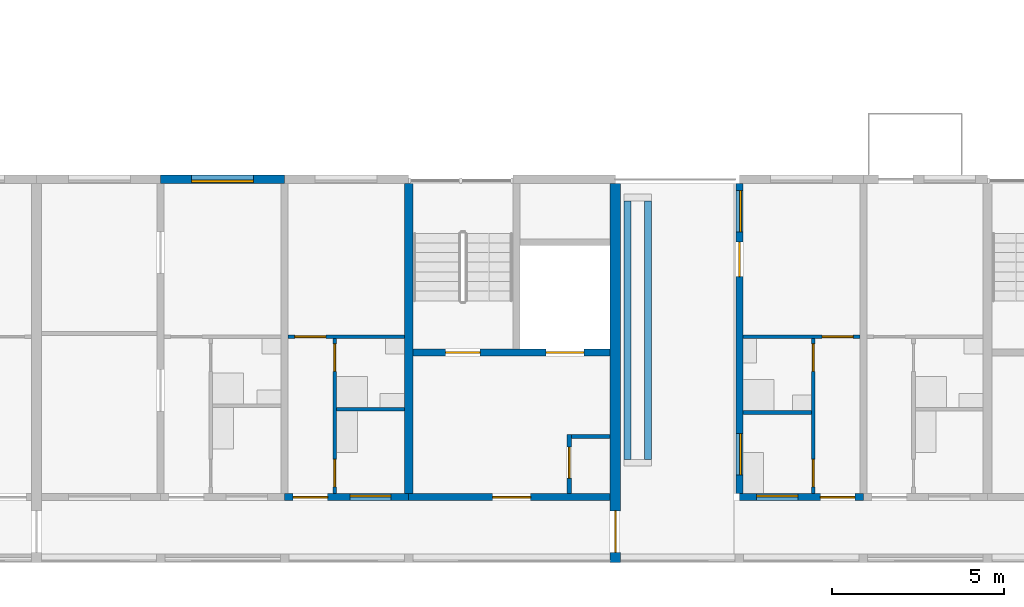
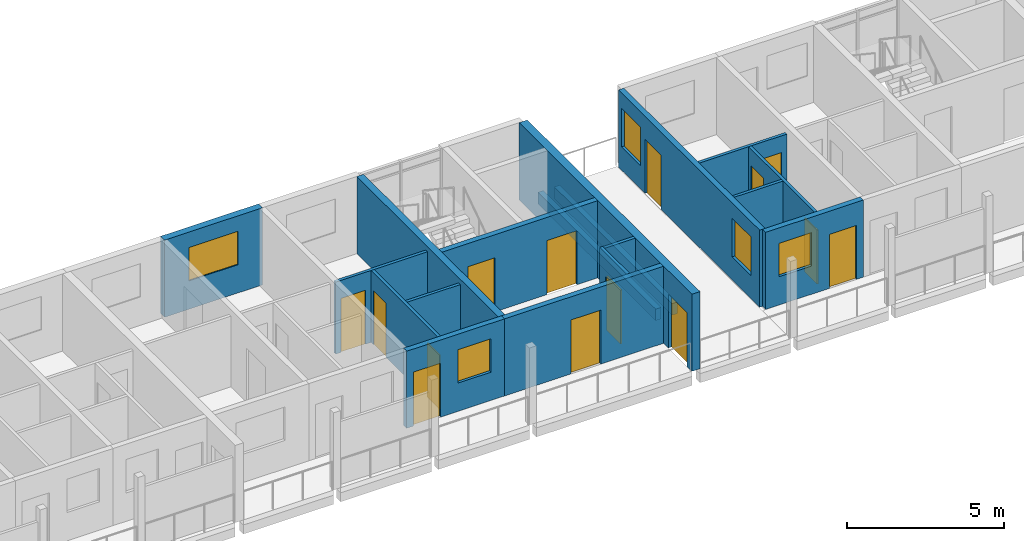
# One storey, part 34 of 64: 18 walls, 14 doors, 5 windows, 19 openings.
"""IFC4 building model written with IfcOpenShell, lengths in metres."""

from ifc_helpers import new_model, si_unit, direction, frame, frame_2d, origin, place, context, subcontext, project, spatial, rectangle, extrude, material, layer, layer_set, type_object, element, fill, save


model = new_model("IFC4")

# Units and contexts
model_context = context("Model", 3, precision=1e-05, world=origin(), true_north=direction((0.0, 1.0)))
body_context = subcontext(model_context, "Body", "Model", "MODEL_VIEW")
ifc_project = project(units=[si_unit("LENGTHUNIT", "METRE"), si_unit("AREAUNIT", "SQUARE_METRE"), si_unit("VOLUMEUNIT", "CUBIC_METRE"), si_unit("PLANEANGLEUNIT", "RADIAN"), si_unit("MASSUNIT", "GRAM", prefix="KILO")], contexts=[model_context])

# Site, building, storey
site_placement = place(None, origin())
site = spatial("IfcSite", under=ifc_project, at=site_placement, CompositionType="ELEMENT")
building_placement = place(site_placement, origin())
building = spatial("IfcBuilding", under=site, at=building_placement, Name="Ridgestep Commons", CompositionType="ELEMENT")
storey_placement = place(building_placement, frame((0.0, 0.0, 33.0)))
storey = spatial("IfcBuildingStorey", under=building, at=storey_placement, Name="L11", CompositionType="ELEMENT", Elevation=33.0)

# Wall
ifc_material_1 = material(Name="Concrete C30/37", Category="concrete")
ifc_layer_1 = layer(ifc_material_1, 0.25)
ifc_layer_set_1 = layer_set([ifc_layer_1], Name="Core cross wall 250")
wall_type_1 = type_object("IfcWallType", Name="Core cross wall 250", PredefinedType="SHEAR", material=ifc_layer_set_1)
wall_1_placement = place(storey_placement, frame((191.199951171875, 13.75, 0.0), z_axis=(0.0, 0.0, 1.0), x_axis=(0.0, 1.0, 0.0)))
element("IfcWall", 1, at=wall_1_placement, inside=storey, type_object=wall_type_1, Name="Cross wall D-11-1912", PredefinedType="SHEAR", context=body_context, shape_type="SweptSolid", body=[
    extrude(rectangle(XDim=9.0, YDim=0.25, at=frame_2d((4.5, 0.0))), origin(), (0.0, 0.0, 1.0), 3.0),
])

# Wall, opening, door
ifc_material_2 = material(Name="Concrete C30/37", Category="concrete")
ifc_layer_2 = layer(ifc_material_2, 0.199951171875)
ifc_layer_set_2 = layer_set([ifc_layer_2], Name="Core south wall 200")
wall_type_2 = type_object("IfcWallType", Name="Core south wall 200", PredefinedType="SHEAR", material=ifc_layer_set_2)
wall_2_placement = place(storey_placement, frame((191.199951171875, 13.64990234375, 0.0), z_axis=(0.0, 0.0, 1.0), x_axis=(1.0, 0.0, 0.0)))
wall_2 = element("IfcWall", 2, at=wall_2_placement, inside=storey, type_object=wall_type_2, Name="Core south wall D3C L11", PredefinedType="SHEAR", context=body_context, shape_type="SweptSolid", body=[
    extrude(rectangle(XDim=5.85009765625, YDim=0.199951171875, at=frame_2d((2.925048828125, 0.0))), origin(), (0.0, 0.0, 1.0), 3.0),
])
opening_1_placement = place(wall_2_placement, frame((2.4375, 0.0, 0.0)))
opening_1 = element("IfcOpeningElement", 3, at=opening_1_placement, cuts=wall_2, Name="Opening D3C/11/1", PredefinedType="OPENING", context=body_context, shape_type="SweptSolid", body=[
    extrude(rectangle(XDim=1.10009765625, YDim=2.10009765625, at=frame_2d((0.550048828125, 1.050048828125))), frame((0.0, 0.10986328125, 0.0), z_axis=(0.0, -1.0, 0.0), x_axis=(1.0, 0.0, 0.0)), (0.0, 0.0, 1.0), 0.219970703125),
])
ifc_material_3 = material(Name="Steel fire door", Category="steel")
door_type_1 = type_object("IfcDoorType", Name="Lobby door 1100 x 2100 FD60", OperationType="NOTDEFINED", PredefinedType="DOOR", material=ifc_material_3)
door_1_placement = place(opening_1_placement, origin())
door_1 = element("IfcDoor", 4, at=door_1_placement, inside=storey, type_object=door_type_1, Name="Lobby door D3C/11/1", OperationType="SINGLE_SWING_LEFT", OverallHeight=2.10009765625, OverallWidth=1.10009765625, PredefinedType="DOOR", context=body_context, shape_type="SweptSolid", body=[
    extrude(rectangle(XDim=1.10009765625, YDim=2.10009765625, at=frame_2d((0.550048828125, 1.050048828125))), frame((0.0, 0.02490234375, 0.0), z_axis=(0.0, -1.0, 0.0), x_axis=(1.0, 0.0, 0.0)), (0.0, 0.0, 1.0), 0.050048828125),
])
fill(opening_1, door_1)

ifc_material_4 = material(Name="Concrete C30/37", Category="concrete")
ifc_layer_3 = layer(ifc_material_4, 0.1201171875)
ifc_layer_set_3 = layer_set([ifc_layer_3], Name="Core wall 120")
wall_type_3 = type_object("IfcWallType", Name="Core wall 120", PredefinedType="SHEAR", material=ifc_layer_set_3)
wall_3_placement = place(storey_placement, frame((195.860107421875, 13.75, 0.0), z_axis=(0.0, 0.0, 1.0), x_axis=(0.0, 1.0, 0.0)))
wall_3 = element("IfcWall", 5, at=wall_3_placement, inside=storey, type_object=wall_type_3, Name="Core riser w wall D3C L11", PredefinedType="SHEAR", context=body_context, shape_type="SweptSolid", body=[
    extrude(rectangle(XDim=1.719970703125, YDim=0.1201171875, at=frame_2d((0.85986328125, 0.0))), origin(), (0.0, 0.0, 1.0), 3.0),
])
opening_2_placement = place(wall_3_placement, frame((0.449951171875, 0.0, 0.0)))
opening_2 = element("IfcOpeningElement", 6, at=opening_2_placement, cuts=wall_3, Name="Opening D3C/11/4", PredefinedType="OPENING", context=body_context, shape_type="SweptSolid", body=[
    extrude(rectangle(XDim=0.89990234375, YDim=2.10009765625, at=frame_2d((0.449951171875, 1.050048828125))), frame((0.0, 0.070068359375, 0.0), z_axis=(0.0, -1.0, 0.0), x_axis=(1.0, 0.0, 0.0)), (0.0, 0.0, 1.0), 0.14013671875),
])
ifc_material_5 = material(Name="Steel fire door", Category="steel")
door_type_2 = type_object("IfcDoorType", Name="Riser door 900 x 2100 FD60", OperationType="NOTDEFINED", PredefinedType="DOOR", material=ifc_material_5)
door_2_placement = place(opening_2_placement, origin())
door_2 = element("IfcDoor", 7, at=door_2_placement, inside=storey, type_object=door_type_2, Name="Riser door D3C/11/4", OperationType="SINGLE_SWING_LEFT", OverallHeight=2.10009765625, OverallWidth=0.89990234375, PredefinedType="DOOR", context=body_context, shape_type="SweptSolid", body=[
    extrude(rectangle(XDim=0.89990234375, YDim=2.10009765625, at=frame_2d((0.449951171875, 1.050048828125))), frame((0.0, 0.02490234375, 0.0), z_axis=(0.0, -1.0, 0.0), x_axis=(1.0, 0.0, 0.0)), (0.0, 0.0, 1.0), 0.050048828125),
])
fill(opening_2, door_2)

# Wall
wall_4_placement = place(storey_placement, frame((195.919921875, 15.409912109375, 0.0), z_axis=(0.0, 0.0, 1.0), x_axis=(1.0, 0.0, 0.0)))
element("IfcWall", 8, at=wall_4_placement, inside=storey, type_object=wall_type_3, Name="Core riser n wall D3C L11", PredefinedType="SHEAR", context=body_context, shape_type="SweptSolid", body=[
    extrude(rectangle(XDim=1.130126953125, YDim=0.1201171875, at=frame_2d((0.56494140625, 0.0))), origin(), (0.0, 0.0, 1.0), 3.0),
])

# Wall, openings, doors
ifc_material_6 = material(Name="Concrete C30/37", Category="concrete")
ifc_layer_4 = layer(ifc_material_6, 0.199951171875)
ifc_layer_set_4 = layer_set([ifc_layer_4], Name="Core wall 200")
wall_type_4 = type_object("IfcWallType", Name="Core wall 200", PredefinedType="SHEAR", material=ifc_layer_set_4)
wall_5_placement = place(storey_placement, frame((191.324951171875, 17.85009765625, 0.0), z_axis=(0.0, 0.0, 1.0), x_axis=(1.0, 0.0, 0.0)))
wall_5 = element("IfcWall", 9, at=wall_5_placement, inside=storey, type_object=wall_type_4, Name="Core lobby wall D3C L11", PredefinedType="SHEAR", context=body_context, shape_type="SweptSolid", body=[
    extrude(rectangle(XDim=5.72509765625, YDim=0.199951171875, at=frame_2d((2.862548828125, 0.0))), origin(), (0.0, 0.0, 1.0), 3.0),
])
opening_3_placement = place(wall_5_placement, frame((0.949951171875, 0.0, 0.0)))
opening_3 = element("IfcOpeningElement", 10, at=opening_3_placement, cuts=wall_5, Name="Opening D3C/11/2", PredefinedType="OPENING", context=body_context, shape_type="SweptSolid", body=[
    extrude(rectangle(XDim=1.0, YDim=2.10009765625, at=frame_2d((0.5, 1.050048828125))), frame((0.0, 0.10986328125, 0.0), z_axis=(0.0, -1.0, 0.0), x_axis=(1.0, 0.0, 0.0)), (0.0, 0.0, 1.0), 0.219970703125),
])
opening_4_placement = place(wall_5_placement, frame((3.862548828125, 0.0, 0.0)))
opening_4 = element("IfcOpeningElement", 11, at=opening_4_placement, cuts=wall_5, Name="Opening D3C/11/3", PredefinedType="OPENING", context=body_context, shape_type="SweptSolid", body=[
    extrude(rectangle(XDim=1.10009765625, YDim=2.10009765625, at=frame_2d((0.550048828125, 1.050048828125))), frame((0.0, 0.10986328125, 0.0), z_axis=(0.0, -1.0, 0.0), x_axis=(1.0, 0.0, 0.0)), (0.0, 0.0, 1.0), 0.219970703125),
])
ifc_material_7 = material(Name="Stainless steel", Category="steel")
door_type_3 = type_object("IfcDoorType", Name="Lift landing door 1100 x 2100 FD60", OperationType="DOUBLE_DOOR_SLIDING", PredefinedType="DOOR", material=ifc_material_7)
door_3_placement = place(opening_4_placement, origin())
door_3 = element("IfcDoor", 12, at=door_3_placement, inside=storey, type_object=door_type_3, Name="Landing door LD D3C L11", OperationType="DOUBLE_DOOR_SLIDING", OverallHeight=2.10009765625, OverallWidth=1.10009765625, PredefinedType="DOOR", context=body_context, shape_type="SweptSolid", body=[
    extrude(rectangle(XDim=1.10009765625, YDim=2.10009765625, at=frame_2d((0.550048828125, 1.050048828125))), frame((0.0, 0.02490234375, 0.0), z_axis=(0.0, -1.0, 0.0), x_axis=(1.0, 0.0, 0.0)), (0.0, 0.0, 1.0), 0.050048828125),
])
fill(opening_4, door_3)
ifc_material_8 = material(Name="Steel fire door", Category="steel")
door_type_4 = type_object("IfcDoorType", Name="Stair door 1000 x 2100 FD60", OperationType="NOTDEFINED", PredefinedType="DOOR", material=ifc_material_8)
door_4_placement = place(opening_3_placement, origin())
door_4 = element("IfcDoor", 13, at=door_4_placement, inside=storey, type_object=door_type_4, Name="Stair door D3C/11/2", OperationType="SINGLE_SWING_RIGHT", OverallHeight=2.10009765625, OverallWidth=1.0, PredefinedType="DOOR", context=body_context, shape_type="SweptSolid", body=[
    extrude(rectangle(XDim=1.0, YDim=2.10009765625, at=frame_2d((0.5, 1.050048828125))), frame((0.0, 0.02490234375, 0.0), z_axis=(0.0, -1.0, 0.0), x_axis=(1.0, 0.0, 0.0)), (0.0, 0.0, 1.0), 0.050048828125),
])
fill(opening_3, door_4)

# Wall, openings, windows, door
ifc_material_9 = material(Name="Precast concrete C40/50", Category="concrete")
ifc_layer_5 = layer(ifc_material_9, 0.199951171875)
ifc_layer_set_5 = layer_set([ifc_layer_5], Name="Exposed cross wall 200")
wall_type_5 = type_object("IfcWallType", Name="Exposed cross wall 200", PredefinedType="SHEAR", material=ifc_layer_set_5)
wall_6_placement = place(storey_placement, frame((200.800048828125, 13.75, 0.0), z_axis=(0.0, 0.0, 1.0), x_axis=(0.0, 1.0, 0.0)))
wall_6 = element("IfcWall", 14, at=wall_6_placement, inside=storey, type_object=wall_type_5, Name="Cross wall D-11-2008", PredefinedType="SHEAR", context=body_context, shape_type="SweptSolid", body=[
    extrude(rectangle(XDim=9.0, YDim=0.199951171875, at=frame_2d((4.5, 0.0))), origin(), (0.0, 0.0, 1.0), 3.0),
])
opening_5_placement = place(wall_6_placement, frame((0.550048828125, 0.0, 0.89990234375)))
opening_5 = element("IfcOpeningElement", 15, at=opening_5_placement, cuts=wall_6, Name="Opening W10", PredefinedType="OPENING", context=body_context, shape_type="SweptSolid", body=[
    extrude(rectangle(XDim=1.199951171875, YDim=1.5, at=frame_2d((0.60009765625, 0.75))), frame((0.0, 0.10986328125, 0.0), z_axis=(0.0, -1.0, 0.0), x_axis=(1.0, 0.0, 0.0)), (0.0, 0.0, 1.0), 0.219970703125),
])
opening_6_placement = place(wall_6_placement, frame((7.6025390625, 0.0, 0.89990234375)))
opening_6 = element("IfcOpeningElement", 16, at=opening_6_placement, cuts=wall_6, Name="Opening W10", PredefinedType="OPENING", context=body_context, shape_type="SweptSolid", body=[
    extrude(rectangle(XDim=1.199951171875, YDim=1.5, at=frame_2d((0.60009765625, 0.75))), frame((0.0, 0.10986328125, 0.0), z_axis=(0.0, -1.0, 0.0), x_axis=(1.0, 0.0, 0.0)), (0.0, 0.0, 1.0), 0.219970703125),
])
opening_7_placement = place(wall_6_placement, frame((6.304931640625, 0.0, 0.0)))
opening_7 = element("IfcOpeningElement", 17, at=opening_7_placement, cuts=wall_6, Name="Opening D4-11a/5", PredefinedType="OPENING", context=body_context, shape_type="SweptSolid", body=[
    extrude(rectangle(XDim=1.0, YDim=2.10009765625, at=frame_2d((0.5, 1.050048828125))), frame((0.0, 0.10986328125, 0.0), z_axis=(0.0, -1.0, 0.0), x_axis=(1.0, 0.0, 0.0)), (0.0, 0.0, 1.0), 0.219970703125),
])
ifc_material_10 = material(Name="Aluminium 6063-T6 and glass", Category="aluminium")
window_type_1 = type_object("IfcWindowType", Name="Flat window 1200 x 1500", PartitioningType="SINGLE_PANEL", PredefinedType="WINDOW", material=ifc_material_10)
window_1_placement = place(opening_5_placement, origin())
window_1 = element("IfcWindow", 18, at=window_1_placement, inside=storey, type_object=window_type_1, Name="Window D4-11a 3", OverallHeight=1.5, OverallWidth=1.199951171875, PartitioningType="SINGLE_PANEL", PredefinedType="WINDOW", context=body_context, shape_type="SweptSolid", body=[
    extrude(rectangle(XDim=1.199951171875, YDim=1.5, at=frame_2d((0.60009765625, 0.75))), frame((0.0, 0.0, 0.0), z_axis=(0.0, -1.0, 0.0), x_axis=(1.0, 0.0, 0.0)), (0.0, 0.0, 1.0), 0.06005859375),
])
fill(opening_5, window_1)
window_2_placement = place(opening_6_placement, origin())
window_2 = element("IfcWindow", 19, at=window_2_placement, inside=storey, type_object=window_type_1, Name="Window D4-11a 4", OverallHeight=1.5, OverallWidth=1.199951171875, PartitioningType="SINGLE_PANEL", PredefinedType="WINDOW", context=body_context, shape_type="SweptSolid", body=[
    extrude(rectangle(XDim=1.199951171875, YDim=1.5, at=frame_2d((0.60009765625, 0.75))), frame((0.0, 0.0, 0.0), z_axis=(0.0, -1.0, 0.0), x_axis=(1.0, 0.0, 0.0)), (0.0, 0.0, 1.0), 0.06005859375),
])
fill(opening_6, window_2)
ifc_material_11 = material(Name="Aluminium and glass", Category="aluminium")
door_type_5 = type_object("IfcDoorType", Name="Terrace door 1000 x 2100", OperationType="NOTDEFINED", PredefinedType="DOOR", material=ifc_material_11)
door_5_placement = place(opening_7_placement, origin())
door_5 = element("IfcDoor", 20, at=door_5_placement, inside=storey, type_object=door_type_5, Name="Terrace door D4-11a/5", OperationType="SINGLE_SWING_RIGHT", OverallHeight=2.10009765625, OverallWidth=1.0, PredefinedType="DOOR", context=body_context, shape_type="SweptSolid", body=[
    extrude(rectangle(XDim=1.0, YDim=2.10009765625, at=frame_2d((0.5, 1.050048828125))), frame((0.0, 0.02490234375, 0.0), z_axis=(0.0, -1.0, 0.0), x_axis=(1.0, 0.0, 0.0)), (0.0, 0.0, 1.0), 0.050048828125),
])
fill(opening_7, door_5)

# Wall, opening, door
ifc_material_12 = material(Name="Precast concrete C40/50", Category="concrete")
ifc_layer_6 = layer(ifc_material_12, 0.300048828125)
ifc_layer_set_6 = layer_set([ifc_layer_6], Name="Exposed division wall 300")
wall_type_6 = type_object("IfcWallType", Name="Exposed division wall 300", PredefinedType="SHEAR", material=ifc_layer_set_6)
wall_7_placement = place(storey_placement, frame((197.199951171875, 11.75, 0.0), z_axis=(0.0, 0.0, 1.0), x_axis=(0.0, 1.0, 0.0)))
wall_7 = element("IfcWall", 21, at=wall_7_placement, inside=storey, type_object=wall_type_6, Name="Cross wall D-11-1972", PredefinedType="SHEAR", context=body_context, shape_type="SweptSolid", body=[
    extrude(rectangle(XDim=11.0, YDim=0.300048828125, at=frame_2d((5.5, 0.0))), origin(), (0.0, 0.0, 1.0), 3.0),
])
opening_8_placement = place(wall_7_placement, frame((0.300048828125, 0.0, 0.0)))
opening_8 = element("IfcOpeningElement", 22, at=opening_8_placement, cuts=wall_7, Name="Opening D/11/G1972", PredefinedType="OPENING", context=body_context, shape_type="SweptSolid", body=[
    extrude(rectangle(XDim=1.199951171875, YDim=2.10009765625, at=frame_2d((0.60009765625, 1.050048828125))), frame((0.0, 0.159912109375, 0.0), z_axis=(0.0, -1.0, 0.0), x_axis=(1.0, 0.0, 0.0)), (0.0, 0.0, 1.0), 0.320068359375),
])
ifc_material_13 = material(Name="Steel fire door", Category="steel")
door_type_6 = type_object("IfcDoorType", Name="Division fire door 1200 x 2100 EI 240", OperationType="DOUBLE_DOOR_SINGLE_SWING", PredefinedType="DOOR", material=ifc_material_13)
door_6_placement = place(opening_8_placement, origin())
door_6 = element("IfcDoor", 23, at=door_6_placement, inside=storey, type_object=door_type_6, Name="Division fire door D/11/G1972", OperationType="DOUBLE_DOOR_SINGLE_SWING", OverallHeight=2.10009765625, OverallWidth=1.199951171875, PredefinedType="DOOR", context=body_context, shape_type="SweptSolid", body=[
    extrude(rectangle(XDim=1.199951171875, YDim=2.10009765625, at=frame_2d((0.60009765625, 1.050048828125))), frame((0.0, 0.02490234375, 0.0), z_axis=(0.0, -1.0, 0.0), x_axis=(1.0, 0.0, 0.0)), (0.0, 0.0, 1.0), 0.050048828125),
])
fill(opening_8, door_6)

# Wall, opening, window
ifc_material_14 = material(Name="Precast concrete C40/50", Category="concrete")
ifc_layer_7 = layer(ifc_material_14, 0.25)
ifc_layer_set_7 = layer_set([ifc_layer_7], Name="North facade panel 250")
wall_type_7 = type_object("IfcWallType", Name="North facade panel 250", PredefinedType="SOLIDWALL", material=ifc_layer_set_7)
wall_8_placement = place(storey_placement, frame((184.0, 22.875, 0.0), z_axis=(0.0, 0.0, 1.0), x_axis=(1.0, 0.0, 0.0)))
wall_8 = element("IfcWall", 24, at=wall_8_placement, inside=storey, type_object=wall_type_7, Name="North panel D3T2 L11", PredefinedType="SOLIDWALL", context=body_context, shape_type="SweptSolid", body=[
    extrude(rectangle(XDim=3.60009765625, YDim=0.25, at=frame_2d((1.800048828125, 0.0))), origin(), (0.0, 0.0, 1.0), 3.0),
])
opening_9_placement = place(wall_8_placement, frame((0.89990234375, 0.0, 1.10009765625)))
opening_9 = element("IfcOpeningElement", 25, at=opening_9_placement, cuts=wall_8, Name="Opening W18", PredefinedType="OPENING", context=body_context, shape_type="SweptSolid", body=[
    extrude(rectangle(XDim=1.800048828125, YDim=1.300048828125, at=frame_2d((0.89990234375, 0.64990234375))), frame((0.0, 0.135009765625, 0.0), z_axis=(0.0, -1.0, 0.0), x_axis=(1.0, 0.0, 0.0)), (0.0, 0.0, 1.0), 0.27001953125),
])
ifc_material_15 = material(Name="Aluminium 6063-T6 and glass", Category="aluminium")
window_type_2 = type_object("IfcWindowType", Name="Flat window 1800 x 1300", PartitioningType="DOUBLE_PANEL_VERTICAL", PredefinedType="WINDOW", material=ifc_material_15)
window_3_placement = place(opening_9_placement, origin())
window_3 = element("IfcWindow", 26, at=window_3_placement, inside=storey, type_object=window_type_2, Name="Window D3-11a 4", OverallHeight=1.300048828125, OverallWidth=1.800048828125, PartitioningType="SINGLE_PANEL", PredefinedType="WINDOW", context=body_context, shape_type="SweptSolid", body=[
    extrude(rectangle(XDim=1.800048828125, YDim=1.300048828125, at=frame_2d((0.89990234375, 0.64990234375))), frame((0.0, -0.02490234375, 0.0), z_axis=(0.0, -1.0, 0.0), x_axis=(1.0, 0.0, 0.0)), (0.0, 0.0, 1.0), 0.06005859375),
])
fill(opening_9, window_3)

# Wall, openings, doors
ifc_material_16 = material(Name="Common brick 110 mm", Category="masonry")
ifc_layer_8 = layer(ifc_material_16, 0.110107421875)
ifc_layer_set_8 = layer_set([ifc_layer_8], Name="Partition 110")
wall_type_8 = type_object("IfcWallType", Name="Partition 110", PredefinedType="PARTITIONING", material=ifc_layer_set_8)
wall_9_placement = place(storey_placement, frame((189.054931640625, 13.75, 0.0), z_axis=(0.0, 0.0, 1.0), x_axis=(0.0, 1.0, 0.0)))
wall_9 = element("IfcWall", 27, at=wall_9_placement, inside=storey, type_object=wall_type_8, Name="Partition D3-11b", PredefinedType="PARTITIONING", context=body_context, shape_type="SweptSolid", body=[
    extrude(rectangle(XDim=4.5, YDim=0.110107421875, at=frame_2d((2.25, 0.0))), origin(), (0.0, 0.0, 1.0), 2.800048828125),
])
opening_10_placement = place(wall_9_placement, frame((0.199951171875, 0.0, 0.0)))
opening_10 = element("IfcOpeningElement", 28, at=opening_10_placement, cuts=wall_9, Name="Opening D3-11b/2", PredefinedType="OPENING", context=body_context, shape_type="SweptSolid", body=[
    extrude(rectangle(XDim=0.800048828125, YDim=2.10009765625, at=frame_2d((0.39990234375, 1.050048828125))), frame((0.0, 0.06494140625, 0.0), z_axis=(0.0, -1.0, 0.0), x_axis=(1.0, 0.0, 0.0)), (0.0, 0.0, 1.0), 0.130126953125),
])
opening_11_placement = place(wall_9_placement, frame((3.550048828125, 0.0, 0.0)))
opening_11 = element("IfcOpeningElement", 29, at=opening_11_placement, cuts=wall_9, Name="Opening D3-11b/3", PredefinedType="OPENING", context=body_context, shape_type="SweptSolid", body=[
    extrude(rectangle(XDim=0.800048828125, YDim=2.10009765625, at=frame_2d((0.39990234375, 1.050048828125))), frame((0.0, 0.06494140625, 0.0), z_axis=(0.0, -1.0, 0.0), x_axis=(1.0, 0.0, 0.0)), (0.0, 0.0, 1.0), 0.130126953125),
])
ifc_material_17 = material(Name="Timber door leaf", Category="wood")
door_type_7 = type_object("IfcDoorType", Name="Internal door 800 x 2100", OperationType="NOTDEFINED", PredefinedType="DOOR", material=ifc_material_17)
door_7_placement = place(opening_10_placement, origin())
door_7 = element("IfcDoor", 30, at=door_7_placement, inside=storey, type_object=door_type_7, Name="Internal door D3-11b/2", OperationType="SINGLE_SWING_RIGHT", OverallHeight=2.10009765625, OverallWidth=0.800048828125, PredefinedType="DOOR", context=body_context, shape_type="SweptSolid", body=[
    extrude(rectangle(XDim=0.800048828125, YDim=2.10009765625, at=frame_2d((0.39990234375, 1.050048828125))), frame((0.0, 0.02490234375, 0.0), z_axis=(0.0, -1.0, 0.0), x_axis=(1.0, 0.0, 0.0)), (0.0, 0.0, 1.0), 0.050048828125),
])
fill(opening_10, door_7)
door_8_placement = place(opening_11_placement, origin())
door_8 = element("IfcDoor", 31, at=door_8_placement, inside=storey, type_object=door_type_7, Name="Internal door D3-11b/3", OperationType="SINGLE_SWING_LEFT", OverallHeight=2.10009765625, OverallWidth=0.800048828125, PredefinedType="DOOR", context=body_context, shape_type="SweptSolid", body=[
    extrude(rectangle(XDim=0.800048828125, YDim=2.10009765625, at=frame_2d((0.39990234375, 1.050048828125))), frame((0.0, 0.02490234375, 0.0), z_axis=(0.0, -1.0, 0.0), x_axis=(1.0, 0.0, 0.0)), (0.0, 0.0, 1.0), 0.050048828125),
])
fill(opening_11, door_8)

# Wall
wall_10_placement = place(storey_placement, frame((189.110107421875, 16.205078125, 0.0), z_axis=(0.0, 0.0, 1.0), x_axis=(1.0, 0.0, 0.0)))
element("IfcWall", 32, at=wall_10_placement, inside=storey, type_object=wall_type_8, Name="Partition D3-11b", PredefinedType="PARTITIONING", context=body_context, shape_type="SweptSolid", body=[
    extrude(rectangle(XDim=1.96484375, YDim=0.110107421875, at=frame_2d((0.982421875, 0.0))), origin(), (0.0, 0.0, 1.0), 2.800048828125),
])

# Wall, opening, door
wall_11_placement = place(storey_placement, frame((187.699951171875, 18.304931640625, 0.0), z_axis=(0.0, 0.0, 1.0), x_axis=(1.0, 0.0, 0.0)))
wall_11 = element("IfcWall", 33, at=wall_11_placement, inside=storey, type_object=wall_type_8, Name="Partition D3-11b", PredefinedType="PARTITIONING", context=body_context, shape_type="SweptSolid", body=[
    extrude(rectangle(XDim=3.375, YDim=0.110107421875, at=frame_2d((1.6875, 0.0))), origin(), (0.0, 0.0, 1.0), 2.800048828125),
])
opening_12_placement = place(wall_11_placement, frame((0.199951171875, 0.0, 0.0)))
opening_12 = element("IfcOpeningElement", 34, at=opening_12_placement, cuts=wall_11, Name="Opening D3-11b/4", PredefinedType="OPENING", context=body_context, shape_type="SweptSolid", body=[
    extrude(rectangle(XDim=0.89990234375, YDim=2.10009765625, at=frame_2d((0.449951171875, 1.050048828125))), frame((0.0, 0.06494140625, 0.0), z_axis=(0.0, -1.0, 0.0), x_axis=(1.0, 0.0, 0.0)), (0.0, 0.0, 1.0), 0.130126953125),
])
ifc_material_18 = material(Name="Timber door leaf", Category="wood")
door_type_8 = type_object("IfcDoorType", Name="Internal door 900 x 2100", OperationType="NOTDEFINED", PredefinedType="DOOR", material=ifc_material_18)
door_9_placement = place(opening_12_placement, origin())
door_9 = element("IfcDoor", 35, at=door_9_placement, inside=storey, type_object=door_type_8, Name="Internal door D3-11b/4", OperationType="SINGLE_SWING_LEFT", OverallHeight=2.10009765625, OverallWidth=0.89990234375, PredefinedType="DOOR", context=body_context, shape_type="SweptSolid", body=[
    extrude(rectangle(XDim=0.89990234375, YDim=2.10009765625, at=frame_2d((0.449951171875, 1.050048828125))), frame((0.0, 0.02490234375, 0.0), z_axis=(0.0, -1.0, 0.0), x_axis=(1.0, 0.0, 0.0)), (0.0, 0.0, 1.0), 0.050048828125),
])
fill(opening_12, door_9)

# Wall
wall_12_placement = place(storey_placement, frame((200.89990234375, 16.10498046875, 0.0), z_axis=(0.0, 0.0, 1.0), x_axis=(1.0, 0.0, 0.0)))
element("IfcWall", 36, at=wall_12_placement, inside=storey, type_object=wall_type_8, Name="Partition D4-11a", PredefinedType="PARTITIONING", context=body_context, shape_type="SweptSolid", body=[
    extrude(rectangle(XDim=1.989990234375, YDim=0.110107421875, at=frame_2d((0.9951171875, 0.0))), origin(), (0.0, 0.0, 1.0), 2.75),
])

# Wall, openings, doors
wall_13_placement = place(storey_placement, frame((202.945068359375, 13.75, 0.0), z_axis=(0.0, 0.0, 1.0), x_axis=(0.0, 1.0, 0.0)))
wall_13 = element("IfcWall", 37, at=wall_13_placement, inside=storey, type_object=wall_type_8, Name="Partition D4-11a", PredefinedType="PARTITIONING", context=body_context, shape_type="SweptSolid", body=[
    extrude(rectangle(XDim=4.5, YDim=0.110107421875, at=frame_2d((2.25, 0.0))), origin(), (0.0, 0.0, 1.0), 2.75),
])
opening_13_placement = place(wall_13_placement, frame((0.199951171875, 0.0, 0.0)))
opening_13 = element("IfcOpeningElement", 38, at=opening_13_placement, cuts=wall_13, Name="Opening D4-11a/2", PredefinedType="OPENING", context=body_context, shape_type="SweptSolid", body=[
    extrude(rectangle(XDim=0.800048828125, YDim=2.10009765625, at=frame_2d((0.39990234375, 1.050048828125))), frame((0.0, 0.06494140625, 0.0), z_axis=(0.0, -1.0, 0.0), x_axis=(1.0, 0.0, 0.0)), (0.0, 0.0, 1.0), 0.130126953125),
])
opening_14_placement = place(wall_13_placement, frame((3.550048828125, 0.0, 0.0)))
opening_14 = element("IfcOpeningElement", 39, at=opening_14_placement, cuts=wall_13, Name="Opening D4-11a/3", PredefinedType="OPENING", context=body_context, shape_type="SweptSolid", body=[
    extrude(rectangle(XDim=0.800048828125, YDim=2.10009765625, at=frame_2d((0.39990234375, 1.050048828125))), frame((0.0, 0.06494140625, 0.0), z_axis=(0.0, -1.0, 0.0), x_axis=(1.0, 0.0, 0.0)), (0.0, 0.0, 1.0), 0.130126953125),
])
door_10_placement = place(opening_13_placement, origin())
door_10 = element("IfcDoor", 40, at=door_10_placement, inside=storey, type_object=door_type_7, Name="Internal door D4-11a/2", OperationType="SINGLE_SWING_LEFT", OverallHeight=2.10009765625, OverallWidth=0.800048828125, PredefinedType="DOOR", context=body_context, shape_type="SweptSolid", body=[
    extrude(rectangle(XDim=0.800048828125, YDim=2.10009765625, at=frame_2d((0.39990234375, 1.050048828125))), frame((0.0, 0.02490234375, 0.0), z_axis=(0.0, -1.0, 0.0), x_axis=(1.0, 0.0, 0.0)), (0.0, 0.0, 1.0), 0.050048828125),
])
fill(opening_13, door_10)
door_11_placement = place(opening_14_placement, origin())
door_11 = element("IfcDoor", 41, at=door_11_placement, inside=storey, type_object=door_type_7, Name="Internal door D4-11a/3", OperationType="SINGLE_SWING_RIGHT", OverallHeight=2.10009765625, OverallWidth=0.800048828125, PredefinedType="DOOR", context=body_context, shape_type="SweptSolid", body=[
    extrude(rectangle(XDim=0.800048828125, YDim=2.10009765625, at=frame_2d((0.39990234375, 1.050048828125))), frame((0.0, 0.02490234375, 0.0), z_axis=(0.0, -1.0, 0.0), x_axis=(1.0, 0.0, 0.0)), (0.0, 0.0, 1.0), 0.050048828125),
])
fill(opening_14, door_11)

# Wall, opening, door
wall_14_placement = place(storey_placement, frame((200.89990234375, 18.304931640625, 0.0), z_axis=(0.0, 0.0, 1.0), x_axis=(1.0, 0.0, 0.0)))
wall_14 = element("IfcWall", 42, at=wall_14_placement, inside=storey, type_object=wall_type_8, Name="Partition D4-11a", PredefinedType="PARTITIONING", context=body_context, shape_type="SweptSolid", body=[
    extrude(rectangle(XDim=3.400146484375, YDim=0.110107421875, at=frame_2d((1.7001953125, 0.0))), origin(), (0.0, 0.0, 1.0), 2.75),
])
opening_15_placement = place(wall_14_placement, frame((2.300048828125, 0.0, 0.0)))
opening_15 = element("IfcOpeningElement", 43, at=opening_15_placement, cuts=wall_14, Name="Opening D4-11a/4", PredefinedType="OPENING", context=body_context, shape_type="SweptSolid", body=[
    extrude(rectangle(XDim=0.89990234375, YDim=2.10009765625, at=frame_2d((0.449951171875, 1.050048828125))), frame((0.0, 0.06494140625, 0.0), z_axis=(0.0, -1.0, 0.0), x_axis=(1.0, 0.0, 0.0)), (0.0, 0.0, 1.0), 0.130126953125),
])
door_12_placement = place(opening_15_placement, origin())
door_12 = element("IfcDoor", 44, at=door_12_placement, inside=storey, type_object=door_type_8, Name="Internal door D4-11a/4", OperationType="SINGLE_SWING_LEFT", OverallHeight=2.10009765625, OverallWidth=0.89990234375, PredefinedType="DOOR", context=body_context, shape_type="SweptSolid", body=[
    extrude(rectangle(XDim=0.89990234375, YDim=2.10009765625, at=frame_2d((0.449951171875, 1.050048828125))), frame((0.0, 0.02490234375, 0.0), z_axis=(0.0, -1.0, 0.0), x_axis=(1.0, 0.0, 0.0)), (0.0, 0.0, 1.0), 0.050048828125),
])
fill(opening_15, door_12)

# Walls
ifc_material_19 = material(Name="Facing brick", Category="masonry")
ifc_layer_9 = layer(ifc_material_19, 0.199951171875)
ifc_layer_set_9 = layer_set([ifc_layer_9], Name="Planter wall 200")
wall_type_9 = type_object("IfcWallType", Name="Planter wall 200", PredefinedType="SOLIDWALL", material=ifc_layer_set_9)
for number, where, z_axis, x_axis, name in (
    (45, (197.550048828125, 14.75, 0.010009765625), (0.0, 0.0, 1.0), (0.0, 1.0, 0.0), "Planter wall D4R1W"),
    (46, (198.14990234375, 14.75, 0.010009765625), (0.0, 0.0, 1.0), (0.0, 1.0, 0.0), "Planter wall D4R1E"),
):
    element("IfcWall", number, at=place(storey_placement, frame(where, z_axis=z_axis, x_axis=x_axis)), inside=storey, type_object=wall_type_9, Name=name, PredefinedType="SOLIDWALL", context=body_context, shape_type="SweptSolid", body=[
        extrude(rectangle(XDim=7.5, YDim=0.199951171875, at=frame_2d((3.75, 0.0))), origin(), (0.0, 0.0, 1.0), 0.449951171875),
    ])

# Wall, openings, door, window
ifc_material_20 = material(Name="Precast concrete C40/50", Category="concrete")
ifc_layer_10 = layer(ifc_material_20, 0.199951171875)
ifc_layer_set_10 = layer_set([ifc_layer_10], Name="South facade panel 200")
wall_type_10 = type_object("IfcWallType", Name="South facade panel 200", PredefinedType="SOLIDWALL", material=ifc_layer_set_10)
wall_15_placement = place(storey_placement, frame((187.60009765625, 13.64990234375, 0.0), z_axis=(0.0, 0.0, 1.0), x_axis=(1.0, 0.0, 0.0)))
wall_15 = element("IfcWall", 47, at=wall_15_placement, inside=storey, type_object=wall_type_10, Name="South panel D3T3 L11", PredefinedType="SOLIDWALL", context=body_context, shape_type="SweptSolid", body=[
    extrude(rectangle(XDim=3.599853515625, YDim=0.199951171875, at=frame_2d((1.7998046875, 0.0))), origin(), (0.0, 0.0, 1.0), 3.0),
])
opening_16_placement = place(wall_15_placement, frame((1.892578125, 0.0, 1.10009765625)))
opening_16 = element("IfcOpeningElement", 48, at=opening_16_placement, cuts=wall_15, Name="Opening W08", PredefinedType="OPENING", context=body_context, shape_type="SweptSolid", body=[
    extrude(rectangle(XDim=1.199951171875, YDim=1.300048828125, at=frame_2d((0.60009765625, 0.64990234375))), frame((0.0, 0.10986328125, 0.0), z_axis=(0.0, -1.0, 0.0), x_axis=(1.0, 0.0, 0.0)), (0.0, 0.0, 1.0), 0.219970703125),
])
opening_17_placement = place(wall_15_placement, frame((0.25, 0.0, 0.0)))
opening_17 = element("IfcOpeningElement", 49, at=opening_17_placement, cuts=wall_15, Name="Opening D3-11b/1", PredefinedType="OPENING", context=body_context, shape_type="SweptSolid", body=[
    extrude(rectangle(XDim=1.0, YDim=2.10009765625, at=frame_2d((0.5, 1.050048828125))), frame((0.0, 0.10986328125, 0.0), z_axis=(0.0, -1.0, 0.0), x_axis=(1.0, 0.0, 0.0)), (0.0, 0.0, 1.0), 0.219970703125),
])
ifc_material_21 = material(Name="Timber door leaf", Category="wood")
door_type_9 = type_object("IfcDoorType", Name="Flat entrance door 1000 x 2100 FD30S", OperationType="NOTDEFINED", PredefinedType="DOOR", material=ifc_material_21)
door_13_placement = place(opening_17_placement, origin())
door_13 = element("IfcDoor", 50, at=door_13_placement, inside=storey, type_object=door_type_9, Name="Flat entrance door D3-11b/1", OperationType="SINGLE_SWING_LEFT", OverallHeight=2.10009765625, OverallWidth=1.0, PredefinedType="DOOR", context=body_context, shape_type="SweptSolid", body=[
    extrude(rectangle(XDim=1.0, YDim=2.10009765625, at=frame_2d((0.5, 1.050048828125))), frame((0.0, 0.02490234375, 0.0), z_axis=(0.0, -1.0, 0.0), x_axis=(1.0, 0.0, 0.0)), (0.0, 0.0, 1.0), 0.050048828125),
])
fill(opening_17, door_13)
ifc_material_22 = material(Name="Aluminium 6063-T6 and glass", Category="aluminium")
window_type_3 = type_object("IfcWindowType", Name="Flat window 1200 x 1300", PartitioningType="SINGLE_PANEL", PredefinedType="WINDOW", material=ifc_material_22)
window_4_placement = place(opening_16_placement, origin())
window_4 = element("IfcWindow", 51, at=window_4_placement, inside=storey, type_object=window_type_3, Name="Window D3-11b 1", OverallHeight=1.300048828125, OverallWidth=1.199951171875, PartitioningType="SINGLE_PANEL", PredefinedType="WINDOW", context=body_context, shape_type="SweptSolid", body=[
    extrude(rectangle(XDim=1.199951171875, YDim=1.300048828125, at=frame_2d((0.60009765625, 0.64990234375))), frame((0.0, 0.06005859375, 0.0), z_axis=(0.0, -1.0, 0.0), x_axis=(1.0, 0.0, 0.0)), (0.0, 0.0, 1.0), 0.06005859375),
])
fill(opening_16, window_4)

wall_16_placement = place(storey_placement, frame((200.800048828125, 13.64990234375, 0.0), z_axis=(0.0, 0.0, 1.0), x_axis=(1.0, 0.0, 0.0)))
wall_16 = element("IfcWall", 52, at=wall_16_placement, inside=storey, type_object=wall_type_10, Name="South panel D4T2 L11", PredefinedType="SOLIDWALL", context=body_context, shape_type="SweptSolid", body=[
    extrude(rectangle(XDim=3.599853515625, YDim=0.199951171875, at=frame_2d((1.7998046875, 0.0))), origin(), (0.0, 0.0, 1.0), 3.0),
])
opening_18_placement = place(wall_16_placement, frame((0.4951171875, 0.0, 1.10009765625)))
opening_18 = element("IfcOpeningElement", 53, at=opening_18_placement, cuts=wall_16, Name="Opening W08", PredefinedType="OPENING", context=body_context, shape_type="SweptSolid", body=[
    extrude(rectangle(XDim=1.199951171875, YDim=1.300048828125, at=frame_2d((0.60009765625, 0.64990234375))), frame((0.0, 0.10986328125, 0.0), z_axis=(0.0, -1.0, 0.0), x_axis=(1.0, 0.0, 0.0)), (0.0, 0.0, 1.0), 0.219970703125),
])
opening_19_placement = place(wall_16_placement, frame((2.35009765625, 0.0, 0.0)))
opening_19 = element("IfcOpeningElement", 54, at=opening_19_placement, cuts=wall_16, Name="Opening D4-11a/1", PredefinedType="OPENING", context=body_context, shape_type="SweptSolid", body=[
    extrude(rectangle(XDim=1.0, YDim=2.10009765625, at=frame_2d((0.5, 1.050048828125))), frame((0.0, 0.10986328125, 0.0), z_axis=(0.0, -1.0, 0.0), x_axis=(1.0, 0.0, 0.0)), (0.0, 0.0, 1.0), 0.219970703125),
])
door_14_placement = place(opening_19_placement, origin())
door_14 = element("IfcDoor", 55, at=door_14_placement, inside=storey, type_object=door_type_9, Name="Flat entrance door D4-11a/1", OperationType="SINGLE_SWING_RIGHT", OverallHeight=2.10009765625, OverallWidth=1.0, PredefinedType="DOOR", context=body_context, shape_type="SweptSolid", body=[
    extrude(rectangle(XDim=1.0, YDim=2.10009765625, at=frame_2d((0.5, 1.050048828125))), frame((0.0, 0.02490234375, 0.0), z_axis=(0.0, -1.0, 0.0), x_axis=(1.0, 0.0, 0.0)), (0.0, 0.0, 1.0), 0.050048828125),
])
fill(opening_19, door_14)
window_5_placement = place(opening_18_placement, origin())
window_5 = element("IfcWindow", 56, at=window_5_placement, inside=storey, type_object=window_type_3, Name="Window D4-11a 1", OverallHeight=1.300048828125, OverallWidth=1.199951171875, PartitioningType="SINGLE_PANEL", PredefinedType="WINDOW", context=body_context, shape_type="SweptSolid", body=[
    extrude(rectangle(XDim=1.199951171875, YDim=1.300048828125, at=frame_2d((0.60009765625, 0.64990234375))), frame((0.0, 0.06005859375, 0.0), z_axis=(0.0, -1.0, 0.0), x_axis=(1.0, 0.0, 0.0)), (0.0, 0.0, 1.0), 0.06005859375),
])
fill(opening_18, window_5)

save(model, "model.ifc")
